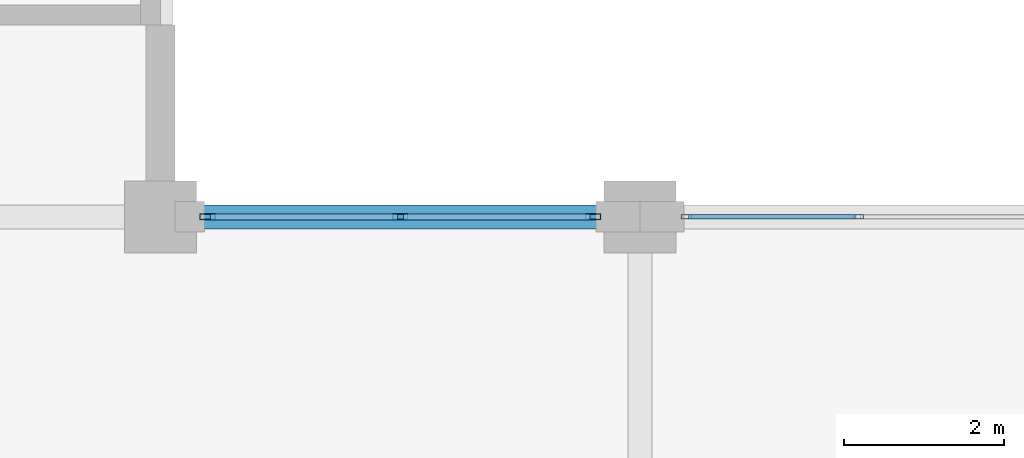
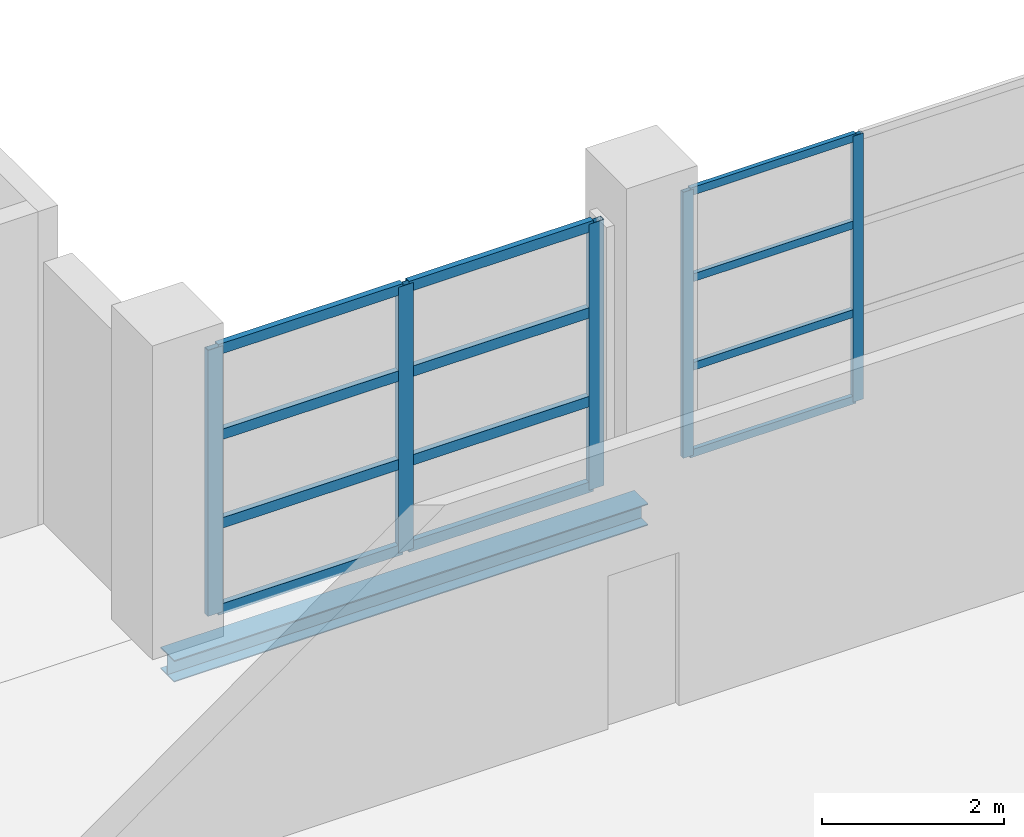
# One storey, part 49 of 158: 17 members, 1 beam, 2 elements without a shape of their own.
"""IFC4 building model written with IfcOpenShell, lengths in metres."""

from ifc_helpers import new_model, si_unit, direction, frame, origin, origin_2d, place, context, subcontext, project, spatial, hollow_rectangle, i_section, extrude, material, layer, layer_set, material_profile, profile_set, type_object, element, aggregate, save


model = new_model("IFC4")

# Units and contexts
model_context = context("Model", 3, precision=1e-05, world=origin(), true_north=direction((0.0, 1.0)))
body_context = subcontext(model_context, "Body", "Model", "MODEL_VIEW")
ifc_project = project(units=[si_unit("LENGTHUNIT", "METRE"), si_unit("AREAUNIT", "SQUARE_METRE"), si_unit("VOLUMEUNIT", "CUBIC_METRE"), si_unit("PLANEANGLEUNIT", "RADIAN"), si_unit("MASSUNIT", "GRAM", prefix="KILO")], contexts=[model_context])

# Site, building, storey
site_placement = place(None, origin())
site = spatial("IfcSite", under=ifc_project, at=site_placement, CompositionType="ELEMENT")
building_placement = place(site_placement, origin())
building = spatial("IfcBuilding", under=site, at=building_placement, Name="Zilviju Railside Exhibition Hall", CompositionType="ELEMENT")
storey_placement = place(building_placement, frame((0.0, 0.0, 4.199951171875)))
storey = spatial("IfcBuildingStorey", under=building, at=storey_placement, Name="L02", CompositionType="ELEMENT", Elevation=4.199951171875)

# Beam
ifc_material_1 = material(Name="Steel S355J2", Category="steel")
ifc_material_profile_1 = material_profile(ifc_material_1, i_section(OverallWidth=0.300048828125, OverallDepth=0.2900390625, WebThickness=0.008544921875, FlangeThickness=0.013916015625, at=origin_2d()), Name="HEA 300")
ifc_profile_set_1 = profile_set([ifc_material_profile_1], Name="Steel S355J2")
beam_type = type_object("IfcBeamType", Name="BM-HEA300", PredefinedType="SPANDREL", material=ifc_profile_set_1)
beam_placement = place(storey_placement, frame((102.0, 54.0, -0.494873046875), z_axis=(1.0, 0.0, 0.0), x_axis=(0.0, 1.0, 0.0)))
element("IfcBeam", 1, at=beam_placement, inside=storey, type_object=beam_type, Name="Primary Girder L02 Y=54.0 (102.0..108.0)", PredefinedType="SPANDREL", context=body_context, shape_type="SweptSolid", body=[
    extrude(i_section(OverallWidth=0.300048828125, OverallDepth=0.2900390625, WebThickness=0.008544921875, FlangeThickness=0.013916015625, at=origin_2d()), origin(), (0.0, 0.0, 1.0), 6.0),
])

# Curtain wall, members
ifc_material_2 = material(Name="Thermally broken aluminium-steel triple-glazed curtain wall", Category="steel")
ifc_layer_1 = layer(ifc_material_2, 0.179931640625)
ifc_layer_set_1 = layer_set([ifc_layer_1], Name="Thermally broken aluminium-steel triple-glazed curtain wall")
curtain_wall_type_1 = type_object("IfcCurtainWallType", Name="CW-BAY-18", PredefinedType="USERDEFINED", material=ifc_layer_set_1)
curtain_wall_1_placement = place(storey_placement, origin())
curtain_wall_1 = element("IfcCurtainWall", 2, at=curtain_wall_1_placement, inside=storey, type_object=curtain_wall_type_1, Name="South Hall Garden Court Curtain Wall L02 (108..120)", ObjectType="GLAZED CURTAIN WALL", PredefinedType="USERDEFINED")
ifc_material_3 = material(Name="Thermally broken anodized aluminium mullion", Category="aluminium")
ifc_material_profile_2 = material_profile(ifc_material_3, hollow_rectangle(XDim=0.054931640625, YDim=0.1298828125, WallThickness=0.0048828125, at=origin_2d()), Name="MULLION 130x55x5")
ifc_profile_set_2 = profile_set([ifc_material_profile_2], Name="Thermally broken anodized aluminium mullion")
member_type_1 = type_object("IfcMemberType", Name="CWM-55x130", PredefinedType="MULLION", material=ifc_profile_set_2)
member_1_placement = place(storey_placement, frame((108.577392578125, 54.0, 0.0), z_axis=(0.0, 0.0, 1.0), x_axis=(0.0, 1.0, 0.0)))
member_1 = element("IfcMember", 3, at=member_1_placement, type_object=member_type_1, Name="CW-18 mullion 1", PredefinedType="MULLION", context=body_context, shape_type="SweptSolid", body=[
    extrude(hollow_rectangle(XDim=0.054931640625, YDim=0.1298828125, WallThickness=0.0048828125, at=origin_2d()), origin(), (0.0, 0.0, 1.0), 3.56005859375),
])
member_2_placement = place(storey_placement, frame((110.72998046875, 54.0, 0.0), z_axis=(0.0, 0.0, 1.0), x_axis=(0.0, 1.0, 0.0)))
member_2 = element("IfcMember", 4, at=member_2_placement, type_object=member_type_1, Name="CW-18 mullion 2", PredefinedType="MULLION", context=body_context, shape_type="SweptSolid", body=[
    extrude(hollow_rectangle(XDim=0.054931640625, YDim=0.1298828125, WallThickness=0.0048828125, at=origin_2d()), origin(), (0.0, 0.0, 1.0), 3.56005859375),
])

ifc_layer_2 = layer(ifc_material_2, 0.179931640625)
ifc_layer_set_2 = layer_set([ifc_layer_2], Name="Thermally broken aluminium-steel triple-glazed curtain wall")
curtain_wall_type_2 = type_object("IfcCurtainWallType", Name="CW-BAY-17", PredefinedType="USERDEFINED", material=ifc_layer_set_2)
curtain_wall_2_placement = place(storey_placement, origin())
curtain_wall_2 = element("IfcCurtainWall", 5, at=curtain_wall_2_placement, inside=storey, type_object=curtain_wall_type_2, Name="South Hall Garden Court Curtain Wall L02 (102..108)", ObjectType="GLAZED CURTAIN WALL", PredefinedType="USERDEFINED")
ifc_material_profile_3 = material_profile(ifc_material_3, hollow_rectangle(XDim=0.074951171875, YDim=0.18994140625, WallThickness=0.0048828125, at=origin_2d()), Name="MULLION 190x75x5")
ifc_profile_set_3 = profile_set([ifc_material_profile_3], Name="Thermally broken anodized aluminium mullion")
member_type_2 = type_object("IfcMemberType", Name="CWM-75x190", PredefinedType="MULLION", material=ifc_profile_set_3)
member_3_placement = place(storey_placement, frame((102.58740234375, 54.0, 0.0), z_axis=(0.0, 0.0, 1.0), x_axis=(0.0, 1.0, 0.0)))
member_3 = element("IfcMember", 6, at=member_3_placement, type_object=member_type_2, Name="CW-17 mullion 1", PredefinedType="MULLION", context=body_context, shape_type="SweptSolid", body=[
    extrude(hollow_rectangle(XDim=0.074951171875, YDim=0.18994140625, WallThickness=0.0048828125, at=origin_2d()), origin(), (0.0, 0.0, 1.0), 3.56005859375),
])
member_4_placement = place(storey_placement, frame((105.0, 54.0, 0.0), z_axis=(0.0, 0.0, 1.0), x_axis=(0.0, 1.0, 0.0)))
member_4 = element("IfcMember", 7, at=member_4_placement, type_object=member_type_2, Name="CW-17 mullion 2", PredefinedType="MULLION", context=body_context, shape_type="SweptSolid", body=[
    extrude(hollow_rectangle(XDim=0.074951171875, YDim=0.18994140625, WallThickness=0.0048828125, at=origin_2d()), origin(), (0.0, 0.0, 1.0), 3.56005859375),
])
member_5_placement = place(storey_placement, frame((107.41259765625, 54.0, 0.0), z_axis=(0.0, 0.0, 1.0), x_axis=(0.0, 1.0, 0.0)))
member_5 = element("IfcMember", 8, at=member_5_placement, type_object=member_type_2, Name="CW-17 mullion 3", PredefinedType="MULLION", context=body_context, shape_type="SweptSolid", body=[
    extrude(hollow_rectangle(XDim=0.074951171875, YDim=0.18994140625, WallThickness=0.0048828125, at=origin_2d()), origin(), (0.0, 0.0, 1.0), 3.56005859375),
])

# Member
ifc_material_4 = material(Name="Thermally broken anodized aluminium transom", Category="aluminium")
ifc_material_profile_4 = material_profile(ifc_material_4, hollow_rectangle(XDim=0.054931640625, YDim=0.10498046875, WallThickness=0.0048828125, at=origin_2d()), Name="TRANSOM 105x55x5")
ifc_profile_set_4 = profile_set([ifc_material_profile_4], Name="Thermally broken anodized aluminium transom")
member_type_3 = type_object("IfcMemberType", Name="CWT-55x105", PredefinedType="USERDEFINED", material=ifc_profile_set_4)
member_6_placement = place(storey_placement, frame((108.60498046875, 54.0, 0.027587890625), z_axis=(1.0, 0.0, 0.0), x_axis=(0.0, 1.0, 0.0)))
member_6 = element("IfcMember", 9, at=member_6_placement, type_object=member_type_3, Name="CW-18 transom 1.1", ObjectType="TRANSOM", PredefinedType="USERDEFINED", context=body_context, shape_type="SweptSolid", body=[
    extrude(hollow_rectangle(XDim=0.054931640625, YDim=0.10498046875, WallThickness=0.0048828125, at=origin_2d()), origin(), (0.0, 0.0, 1.0), 2.097412109375),
])

member_7_placement = place(storey_placement, frame((108.60498046875, 54.0, 1.18701171875), z_axis=(1.0, 0.0, 0.0), x_axis=(0.0, 1.0, 0.0)))
member_7 = element("IfcMember", 10, at=member_7_placement, type_object=member_type_3, Name="CW-18 transom 1.2", ObjectType="TRANSOM", PredefinedType="USERDEFINED", context=body_context, shape_type="SweptSolid", body=[
    extrude(hollow_rectangle(XDim=0.054931640625, YDim=0.10498046875, WallThickness=0.0048828125, at=origin_2d()), origin(), (0.0, 0.0, 1.0), 2.097412109375),
])

member_8_placement = place(storey_placement, frame((108.60498046875, 54.0, 2.373046875), z_axis=(1.0, 0.0, 0.0), x_axis=(0.0, 1.0, 0.0)))
member_8 = element("IfcMember", 11, at=member_8_placement, type_object=member_type_3, Name="CW-18 transom 1.3", ObjectType="TRANSOM", PredefinedType="USERDEFINED", context=body_context, shape_type="SweptSolid", body=[
    extrude(hollow_rectangle(XDim=0.054931640625, YDim=0.10498046875, WallThickness=0.0048828125, at=origin_2d()), origin(), (0.0, 0.0, 1.0), 2.097412109375),
])

member_9_placement = place(storey_placement, frame((108.60498046875, 54.0, 3.532470703125), z_axis=(1.0, 0.0, 0.0), x_axis=(0.0, 1.0, 0.0)))
member_9 = element("IfcMember", 12, at=member_9_placement, type_object=member_type_3, Name="CW-18 transom 1.4", ObjectType="TRANSOM", PredefinedType="USERDEFINED", context=body_context, shape_type="SweptSolid", body=[
    extrude(hollow_rectangle(XDim=0.054931640625, YDim=0.10498046875, WallThickness=0.0048828125, at=origin_2d()), origin(), (0.0, 0.0, 1.0), 2.097412109375),
])

aggregate(curtain_wall_1, [member_1, member_2, member_6, member_7, member_8, member_9])

ifc_material_profile_5 = material_profile(ifc_material_4, hollow_rectangle(XDim=0.074951171875, YDim=0.139892578125, WallThickness=0.0048828125, at=origin_2d()), Name="TRANSOM 140x75x5")
ifc_profile_set_5 = profile_set([ifc_material_profile_5], Name="Thermally broken anodized aluminium transom")
member_type_4 = type_object("IfcMemberType", Name="CWT-75x140", PredefinedType="USERDEFINED", material=ifc_profile_set_5)
member_10_placement = place(storey_placement, frame((102.625, 54.0, 0.03759765625), z_axis=(1.0, 0.0, 0.0), x_axis=(0.0, 1.0, 0.0)))
member_10 = element("IfcMember", 13, at=member_10_placement, type_object=member_type_4, Name="CW-17 transom 1.1", ObjectType="TRANSOM", PredefinedType="USERDEFINED", context=body_context, shape_type="SweptSolid", body=[
    extrude(hollow_rectangle(XDim=0.074951171875, YDim=0.139892578125, WallThickness=0.0048828125, at=origin_2d()), origin(), (0.0, 0.0, 1.0), 2.33740234375),
])

member_11_placement = place(storey_placement, frame((102.625, 54.0, 1.18701171875), z_axis=(1.0, 0.0, 0.0), x_axis=(0.0, 1.0, 0.0)))
member_11 = element("IfcMember", 14, at=member_11_placement, type_object=member_type_4, Name="CW-17 transom 1.2", ObjectType="TRANSOM", PredefinedType="USERDEFINED", context=body_context, shape_type="SweptSolid", body=[
    extrude(hollow_rectangle(XDim=0.074951171875, YDim=0.139892578125, WallThickness=0.0048828125, at=origin_2d()), origin(), (0.0, 0.0, 1.0), 2.33740234375),
])

member_12_placement = place(storey_placement, frame((102.625, 54.0, 2.373046875), z_axis=(1.0, 0.0, 0.0), x_axis=(0.0, 1.0, 0.0)))
member_12 = element("IfcMember", 15, at=member_12_placement, type_object=member_type_4, Name="CW-17 transom 1.3", ObjectType="TRANSOM", PredefinedType="USERDEFINED", context=body_context, shape_type="SweptSolid", body=[
    extrude(hollow_rectangle(XDim=0.074951171875, YDim=0.139892578125, WallThickness=0.0048828125, at=origin_2d()), origin(), (0.0, 0.0, 1.0), 2.33740234375),
])

member_13_placement = place(storey_placement, frame((102.625, 54.0, 3.5224609375), z_axis=(1.0, 0.0, 0.0), x_axis=(0.0, 1.0, 0.0)))
member_13 = element("IfcMember", 16, at=member_13_placement, type_object=member_type_4, Name="CW-17 transom 1.4", ObjectType="TRANSOM", PredefinedType="USERDEFINED", context=body_context, shape_type="SweptSolid", body=[
    extrude(hollow_rectangle(XDim=0.074951171875, YDim=0.139892578125, WallThickness=0.0048828125, at=origin_2d()), origin(), (0.0, 0.0, 1.0), 2.33740234375),
])

member_14_placement = place(storey_placement, frame((105.03759765625, 54.0, 0.03759765625), z_axis=(1.0, 0.0, 0.0), x_axis=(0.0, 1.0, 0.0)))
member_14 = element("IfcMember", 17, at=member_14_placement, type_object=member_type_4, Name="CW-17 transom 2.1", ObjectType="TRANSOM", PredefinedType="USERDEFINED", context=body_context, shape_type="SweptSolid", body=[
    extrude(hollow_rectangle(XDim=0.074951171875, YDim=0.139892578125, WallThickness=0.0048828125, at=origin_2d()), origin(), (0.0, 0.0, 1.0), 2.33740234375),
])

member_15_placement = place(storey_placement, frame((105.03759765625, 54.0, 1.18701171875), z_axis=(1.0, 0.0, 0.0), x_axis=(0.0, 1.0, 0.0)))
member_15 = element("IfcMember", 18, at=member_15_placement, type_object=member_type_4, Name="CW-17 transom 2.2", ObjectType="TRANSOM", PredefinedType="USERDEFINED", context=body_context, shape_type="SweptSolid", body=[
    extrude(hollow_rectangle(XDim=0.074951171875, YDim=0.139892578125, WallThickness=0.0048828125, at=origin_2d()), origin(), (0.0, 0.0, 1.0), 2.33740234375),
])

member_16_placement = place(storey_placement, frame((105.03759765625, 54.0, 2.373046875), z_axis=(1.0, 0.0, 0.0), x_axis=(0.0, 1.0, 0.0)))
member_16 = element("IfcMember", 19, at=member_16_placement, type_object=member_type_4, Name="CW-17 transom 2.3", ObjectType="TRANSOM", PredefinedType="USERDEFINED", context=body_context, shape_type="SweptSolid", body=[
    extrude(hollow_rectangle(XDim=0.074951171875, YDim=0.139892578125, WallThickness=0.0048828125, at=origin_2d()), origin(), (0.0, 0.0, 1.0), 2.33740234375),
])

member_17_placement = place(storey_placement, frame((105.03759765625, 54.0, 3.5224609375), z_axis=(1.0, 0.0, 0.0), x_axis=(0.0, 1.0, 0.0)))
member_17 = element("IfcMember", 20, at=member_17_placement, type_object=member_type_4, Name="CW-17 transom 2.4", ObjectType="TRANSOM", PredefinedType="USERDEFINED", context=body_context, shape_type="SweptSolid", body=[
    extrude(hollow_rectangle(XDim=0.074951171875, YDim=0.139892578125, WallThickness=0.0048828125, at=origin_2d()), origin(), (0.0, 0.0, 1.0), 2.33740234375),
])

aggregate(curtain_wall_2, [member_3, member_4, member_5, member_10, member_11, member_12, member_13, member_14, member_15, member_16, member_17])

save(model, "model.ifc")
